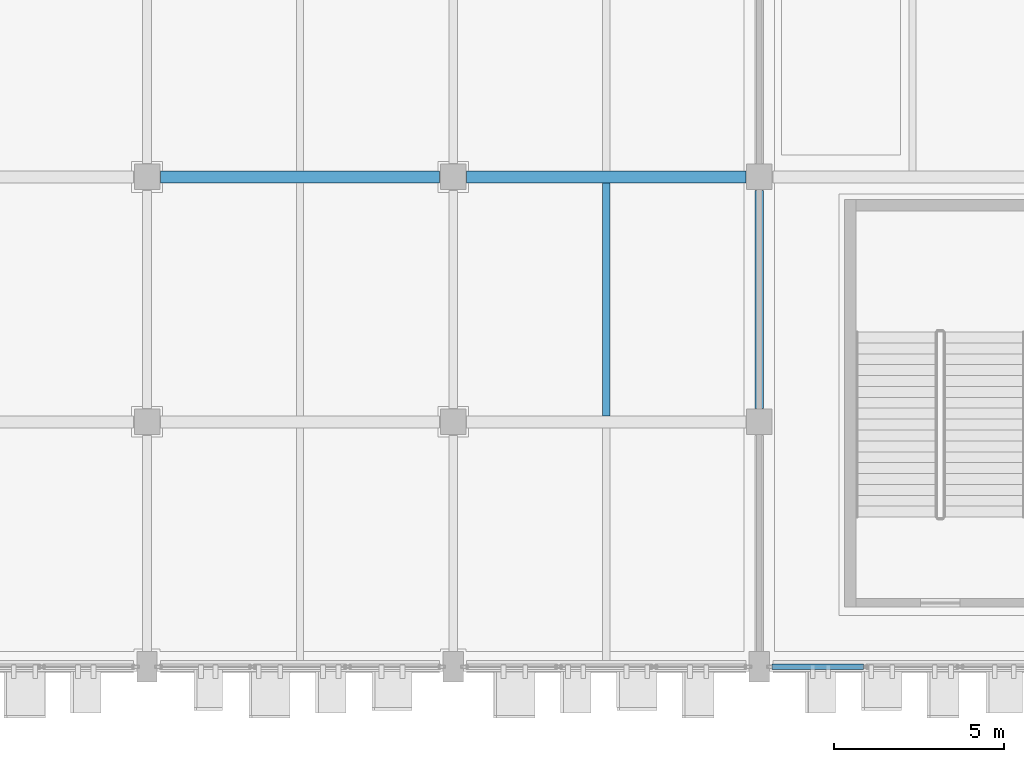
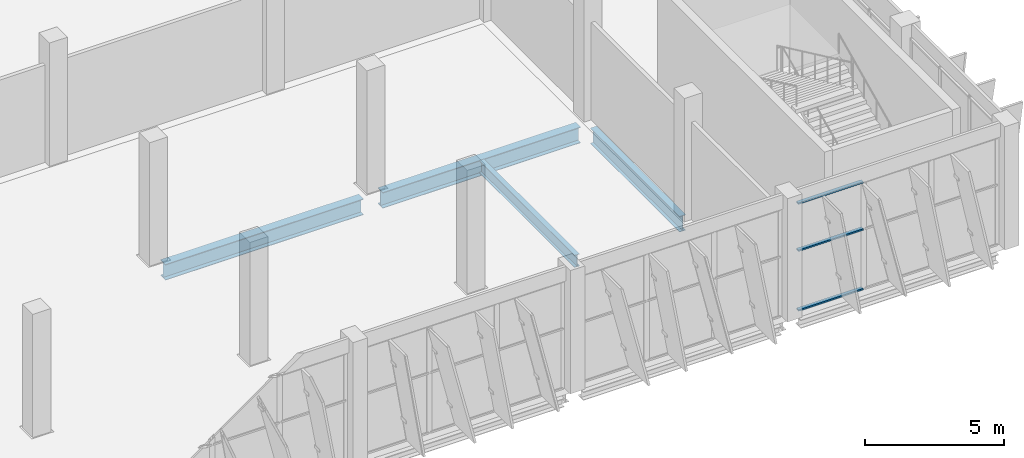
# One storey, part 47 of 137: 4 beams, 3 members, 1 element without a shape of its own.
"""IFC4 building model written with IfcOpenShell, lengths in metres."""

import ifcopenshell
import ifcopenshell.guid

model = None  # the IFC model being written
_history = None  # IfcOwnerHistory: only IFC2X3 demands one
_inside = {}  # id of a spatial element -> (the spatial element, [elements in it])
_under = {}  # id of a project, library or spatial element -> (it, [spatial elements below it])
_declared = {}  # id of a project -> (the project, [libraries it declares])
_typed = {}  # id of a type object -> (the type object, [elements of that type])
_made_of = {}  # id of a material, layer set ... -> (it, [elements and type objects made of it])


def new_model(schema):
    """Start an empty IFC model of exactly this schema.

    Asked for "IFC4X3", IfcOpenShell would pick the latest addendum, in which some entities
    have other attributes; the version numbers below select the first issue.
    IFC2X3 requires an IfcOwnerHistory on every rooted entity: one is made here for all.
    """
    global model, _history
    if schema == "IFC4X3":
        model = ifcopenshell.file(schema_version=(4, 3, 0, 0))
    else:
        model = ifcopenshell.file(schema=schema)
    _inside.clear()
    _under.clear()
    _declared.clear()
    _typed.clear()
    _made_of.clear()
    _history = None
    if model.schema == "IFC2X3":
        org = make("IfcOrganization", Name="unknown")
        user = make(
            "IfcPersonAndOrganization",
            ThePerson=make("IfcPerson", FamilyName="unknown"),
            TheOrganization=org,
        )
        app = make(
            "IfcApplication",
            ApplicationDeveloper=org,
            Version="unknown",
            ApplicationFullName="unknown",
            ApplicationIdentifier="unknown",
        )
        _history = make(
            "IfcOwnerHistory",
            OwningUser=user,
            OwningApplication=app,
            ChangeAction="ADDED",
            CreationDate=0,
        )
    return model


def make(cls, **values):
    """One entity of the class cls with the attributes given. An attribute that is None is left unset."""
    return model.create_entity(
        cls, **{name: value for name, value in values.items() if value is not None}
    )


def rooted(cls, **values):
    """An entity with a GlobalId (a new one), such as an element, a storey or a relation."""
    return make(cls, GlobalId=ifcopenshell.guid.new(), OwnerHistory=_history, **values)


def si_unit(unit_type, name, prefix=None):
    """IfcSIUnit, for example si_unit("LENGTHUNIT", "METRE", prefix="MILLI")."""
    return make("IfcSIUnit", UnitType=unit_type, Prefix=prefix, Name=name)


def assignment(units):
    """IfcUnitAssignment: the units of a project."""
    return None if units is None else make("IfcUnitAssignment", Units=units)


def point(xyz):
    """IfcCartesianPoint."""
    return None if xyz is None else make("IfcCartesianPoint", Coordinates=xyz)


def direction(xyz):
    """IfcDirection."""
    return None if xyz is None else make("IfcDirection", DirectionRatios=xyz)


def frame(location, z_axis=None, x_axis=None):
    """IfcAxis2Placement3D, a coordinate frame: its origin and axes. An axis left out is left unset."""
    return make(
        "IfcAxis2Placement3D",
        Location=point(location),
        Axis=direction(z_axis),
        RefDirection=direction(x_axis),
    )


def frame_2d(location, x_axis=None):
    """IfcAxis2Placement2D, a coordinate frame in the plane: its origin and x axis."""
    return make(
        "IfcAxis2Placement2D", Location=point(location), RefDirection=direction(x_axis)
    )


def origin():
    """The frame at (0, 0, 0) with its axes left unset."""
    return frame((0.0, 0.0, 0.0))


def origin_2d():
    """The frame at (0, 0) in the plane with its x axis left unset."""
    return frame_2d((0.0, 0.0))


def place(relative_to, where):
    """IfcLocalPlacement: puts the frame where relative to a parent placement (None: the world)."""
    return make(
        "IfcLocalPlacement", PlacementRelTo=relative_to, RelativePlacement=where
    )


def context(
    kind, dimensions, precision=None, world=None, true_north=None, identifier=None
):
    """IfcGeometricRepresentationContext, for example the 3D "Model" context."""
    return make(
        "IfcGeometricRepresentationContext",
        ContextIdentifier=identifier,
        ContextType=kind,
        CoordinateSpaceDimension=dimensions,
        Precision=precision,
        WorldCoordinateSystem=world,
        TrueNorth=true_north,
    )


def subcontext(parent, identifier, kind, view, scale=None):
    """IfcGeometricRepresentationSubContext, for example "Body" below "Model"."""
    return make(
        "IfcGeometricRepresentationSubContext",
        ContextIdentifier=identifier,
        ContextType=kind,
        ParentContext=parent,
        TargetScale=scale,
        TargetView=view,
    )


def project(units=None, contexts=None):
    """IfcProject with its units and contexts."""
    return rooted(
        "IfcProject",
        Name="project",
        RepresentationContexts=contexts,
        UnitsInContext=assignment(units),
    )


def spatial(cls, under=None, at=None, **own):
    """A site, building, storey or space (cls), placed at a placement, below another one or the project."""
    s = rooted(cls, ObjectPlacement=at, **own)
    if under is not None:
        _under.setdefault(under.id(), (under, []))[1].append(s)
    return s


def profile(cls, at=None, kind="AREA", **sizes):
    """A parametric profile (cls). Its sizes go by their IFC names, for example OverallWidth=200.0."""
    return make(cls, ProfileType=kind, Position=at, **sizes)


def hollow_rectangle(**sizes):
    """IfcRectangleHollowProfileDef."""
    return profile("IfcRectangleHollowProfileDef", **sizes)


def i_section(**sizes):
    """IfcIShapeProfileDef."""
    return profile("IfcIShapeProfileDef", **sizes)


def extrude(swept, where, along, depth):
    """IfcExtrudedAreaSolid: the profile swept, set in the frame where, extruded along a direction by depth."""
    return make(
        "IfcExtrudedAreaSolid",
        SweptArea=swept,
        Position=where,
        ExtrudedDirection=direction(along),
        Depth=depth,
    )


def shape(context_of_items, identifier, shape_type, items):
    """IfcShapeRepresentation: the items that make up one representation, for example the "Body"."""
    return make(
        "IfcShapeRepresentation",
        ContextOfItems=context_of_items,
        RepresentationIdentifier=identifier,
        RepresentationType=shape_type,
        Items=items,
    )


def material(Name=None, Category=None):
    """IfcMaterial."""
    return make("IfcMaterial", Name=Name, Category=Category)


def layer(
    of_material, thickness, ventilated=None, Name=None, Category=None, Priority=None
):
    """IfcMaterialLayer: one layer of a wall or slab, of a material (None: an air gap)."""
    return make(
        "IfcMaterialLayer",
        Material=of_material,
        LayerThickness=thickness,
        IsVentilated=ventilated,
        Name=Name,
        Category=Category,
        Priority=Priority,
    )


def layer_set(layers, Name=None):
    """IfcMaterialLayerSet."""
    return make("IfcMaterialLayerSet", MaterialLayers=layers, LayerSetName=Name)


def material_profile(
    of_material, cross_section, Name=None, Category=None, Priority=None
):
    """IfcMaterialProfile: a cross section and its material."""
    return make(
        "IfcMaterialProfile",
        Name=Name,
        Material=of_material,
        Profile=cross_section,
        Priority=Priority,
        Category=Category,
    )


def profile_set(profiles, Name=None, composite=None):
    """IfcMaterialProfileSet."""
    return make(
        "IfcMaterialProfileSet",
        Name=Name,
        MaterialProfiles=profiles,
        CompositeProfile=composite,
    )


def made_of(thing, what):
    """Note that an element or type object is made of a material, layer set ...; save() writes the relation."""
    if what is not None:
        _made_of.setdefault(what.id(), (what, []))[1].append(thing)
    return thing


def type_object(cls, material=None, **own):
    """A type object (cls), such as IfcWallType, which elements share."""
    return made_of(rooted(cls, **own), material)


def element(
    cls,
    number,
    at=None,
    inside=None,
    cuts=None,
    type_object=None,
    material=None,
    context=None,
    identifier="Body",
    shape_type=None,
    held_by="IfcProductDefinitionShape",
    body=None,
    shapes=None,
    **own,
):
    """One element of the class cls, such as IfcWall. Its Tag is "e" and its number.

    at: its placement. inside: the storey or other place that contains it. cuts: it is an
    opening in that element (IfcRelVoidsElement). A single representation is given by context,
    identifier, shape_type and body (its items); several are given by shapes. held_by: the class
    of the entity that holds the representations. save() writes the other relations.
    """
    e = rooted(cls, Tag="e%d" % number, ObjectPlacement=at, **own)
    if body is not None:
        shapes = [shape(context, identifier, shape_type, body)]
    if shapes is not None:
        e.Representation = make(held_by, Representations=shapes)
    if inside is not None:
        _inside.setdefault(inside.id(), (inside, []))[1].append(e)
    if cuts is not None:
        rooted(
            "IfcRelVoidsElement", RelatingBuildingElement=cuts, RelatedOpeningElement=e
        )
    if type_object is not None:
        _typed.setdefault(type_object.id(), (type_object, []))[1].append(e)
    return made_of(e, material)


def aggregate(whole, parts):
    """IfcRelAggregates: a whole, such as a stair, and the parts it consists of."""
    return rooted("IfcRelAggregates", RelatingObject=whole, RelatedObjects=parts)


def save(model, path):
    """Write the relations noted so far, then the file.

    IfcRelAggregates (storeys below a building ...), IfcRelContainedInSpatialStructure (elements
    in a storey), IfcRelDefinesByType, IfcRelAssociatesMaterial and IfcRelDeclares: one each for
    every whole, place, type object, material and project.
    """
    for whole, parts in _under.values():
        aggregate(whole, parts)
    for where, things in _inside.values():
        rooted(
            "IfcRelContainedInSpatialStructure",
            RelatedElements=things,
            RelatingStructure=where,
        )
    for kind, things in _typed.values():
        rooted("IfcRelDefinesByType", RelatedObjects=things, RelatingType=kind)
    for what, things in _made_of.values():
        rooted("IfcRelAssociatesMaterial", RelatedObjects=things, RelatingMaterial=what)
    for by, libraries in _declared.values():
        rooted("IfcRelDeclares", RelatingContext=by, RelatedDefinitions=libraries)
    model.write(path)


model = new_model("IFC4")

# Units and contexts
model_context = context("Model", 3, precision=1e-05, world=origin(), true_north=direction((0.0, 1.0)))
body_context = subcontext(model_context, "Body", "Model", "MODEL_VIEW")
ifc_project = project(units=[si_unit("LENGTHUNIT", "METRE"), si_unit("AREAUNIT", "SQUARE_METRE"), si_unit("VOLUMEUNIT", "CUBIC_METRE"), si_unit("PLANEANGLEUNIT", "RADIAN"), si_unit("MASSUNIT", "GRAM", prefix="KILO")], contexts=[model_context])

# Site, building, storey
site_placement = place(None, origin())
site = spatial("IfcSite", under=ifc_project, at=site_placement, CompositionType="ELEMENT")
building_placement = place(site_placement, origin())
building = spatial("IfcBuilding", under=site, at=building_placement, Name="Celestram Park Convention Centre", CompositionType="ELEMENT")
storey_placement = place(building_placement, origin())
storey = spatial("IfcBuildingStorey", under=building, at=storey_placement, Name="L00", CompositionType="ELEMENT", Elevation=0.0)

# Curtain wall, members
ifc_material_1 = material(Name="Anodised Aluminium Alloy 6063-T6", Category="aluminium")
ifc_layer = layer(ifc_material_1, 0.179931640625)
ifc_layer_set = layer_set([ifc_layer], Name="Anodised Aluminium Alloy 6063-T6")
curtain_wall_type = type_object("IfcCurtainWallType", Name="ARC-CW-840X475", PredefinedType="NOTDEFINED", material=ifc_layer_set)
curtain_wall_placement = place(storey_placement, origin())
curtain_wall = element("IfcCurtainWall", 1, at=curtain_wall_placement, inside=storey, type_object=curtain_wall_type, Name="Unitised curtain wall CU-L00-026", PredefinedType="NOTDEFINED")
ifc_material_profile_1 = material_profile(ifc_material_1, hollow_rectangle(XDim=0.14990234375, YDim=0.06494140625, WallThickness=0.0029296875, at=origin_2d()), Name="ALU150X65X3")
ifc_profile_set_1 = profile_set([ifc_material_profile_1], Name="Anodised Aluminium Alloy 6063-T6")
member_type = type_object("IfcMemberType", Name="ARC-CWT-150", PredefinedType="USERDEFINED", material=ifc_profile_set_1)
member_1_placement = place(storey_placement, frame((210.061767578125, 0.0, 0.032470703125), z_axis=(-1.0, 0.0, 0.0), x_axis=(0.0, -1.0, 0.0)))
member_1 = element("IfcMember", 2, at=member_1_placement, type_object=member_type, Name="CW-84X47 transom 3.1", ObjectType="TRANSOM", PredefinedType="USERDEFINED", context=body_context, shape_type="SweptSolid", body=[
    extrude(hollow_rectangle(XDim=0.14990234375, YDim=0.06494140625, WallThickness=0.0029296875, at=origin_2d()), origin(), (0.0, 0.0, 1.0), 2.688720703125),
])
member_2_placement = place(storey_placement, frame((210.061767578125, 0.0, 2.64990234375), z_axis=(-1.0, 0.0, 0.0), x_axis=(0.0, -1.0, 0.0)))
member_2 = element("IfcMember", 3, at=member_2_placement, type_object=member_type, Name="CW-84X47 transom 3.2", ObjectType="TRANSOM", PredefinedType="USERDEFINED", context=body_context, shape_type="SweptSolid", body=[
    extrude(hollow_rectangle(XDim=0.14990234375, YDim=0.06494140625, WallThickness=0.0029296875, at=origin_2d()), origin(), (0.0, 0.0, 1.0), 2.688720703125),
])
member_3_placement = place(storey_placement, frame((210.061767578125, 0.0, 4.714599609375), z_axis=(-1.0, 0.0, 0.0), x_axis=(0.0, -1.0, 0.0)))
member_3 = element("IfcMember", 4, at=member_3_placement, type_object=member_type, Name="CW-84X47 transom 3.3", ObjectType="TRANSOM", PredefinedType="USERDEFINED", context=body_context, shape_type="SweptSolid", body=[
    extrude(hollow_rectangle(XDim=0.14990234375, YDim=0.06494140625, WallThickness=0.0029296875, at=origin_2d()), origin(), (0.0, 0.0, 1.0), 2.688720703125),
])
aggregate(curtain_wall, [member_1, member_2, member_3])

# Beams
ifc_material_2 = material(Name="Steel ASTM A992 Grade 50", Category="steel")
ifc_material_profile_2 = material_profile(ifc_material_2, i_section(OverallWidth=0.35595703125, OverallDepth=0.696044921875, WebThickness=0.015380859375, FlangeThickness=0.02490234375, at=origin_2d()), Name="W27X146")
ifc_profile_set_2 = profile_set([ifc_material_profile_2], Name="Steel ASTM A992 Grade 50")
beam_type_1 = type_object("IfcBeamType", Name="STR-BM-W27X146", PredefinedType="BEAM", material=ifc_profile_set_2)
for number, where, z_axis, x_axis, name in (
    (5, (189.39794921875, 14.39990234375, -0.66796875), (1.0, 0.0, 0.0), (0.0, 1.0, 0.0), "Primary X-girder BG-L00-0799"),
    (6, (198.39794921875, 14.39990234375, -0.66796875), (1.0, 0.0, 0.0), (0.0, 1.0, 0.0), "Primary X-girder BG-L00-0825"),
):
    element("IfcBeam", number, at=place(storey_placement, frame(where, z_axis=z_axis, x_axis=x_axis)), inside=storey, type_object=beam_type_1, Name=name, PredefinedType="BEAM", context=body_context, shape_type="SweptSolid", body=[
        extrude(i_section(OverallWidth=0.35595703125, OverallDepth=0.696044921875, WebThickness=0.015380859375, FlangeThickness=0.02490234375, at=origin_2d()), origin(), (0.0, 0.0, 1.0), 8.2041015625),
    ])
ifc_material_profile_3 = material_profile(ifc_material_2, i_section(OverallWidth=0.25390625, OverallDepth=0.68310546875, WebThickness=0.012451171875, FlangeThickness=0.01904296875, at=origin_2d()), Name="W27X94")
ifc_profile_set_3 = profile_set([ifc_material_profile_3], Name="Steel ASTM A992 Grade 50")
beam_type_2 = type_object("IfcBeamType", Name="STR-BM-W27X94", PredefinedType="BEAM", material=ifc_profile_set_3)
beam_1_placement = place(storey_placement, frame((207.0, 7.597900390625, -0.66162109375), z_axis=(0.0, 1.0, 0.0), x_axis=(-1.0, 0.0, 0.0)))
element("IfcBeam", 7, at=beam_1_placement, inside=storey, type_object=beam_type_2, Name="Primary Y-girder BG-L00-0849", PredefinedType="BEAM", context=body_context, shape_type="SweptSolid", body=[
    extrude(i_section(OverallWidth=0.25390625, OverallDepth=0.68310546875, WebThickness=0.012451171875, FlangeThickness=0.01904296875, at=origin_2d()), origin(), (0.0, 0.0, 1.0), 6.404052734375),
])
ifc_material_profile_4 = material_profile(ifc_material_2, i_section(OverallWidth=0.2099609375, OverallDepth=0.532958984375, WebThickness=0.01025390625, FlangeThickness=0.015625, at=origin_2d()), Name="W21X62")
ifc_profile_set_4 = profile_set([ifc_material_profile_4], Name="Steel ASTM A992 Grade 50")
beam_type_3 = type_object("IfcBeamType", Name="STR-JST-W21X62", PredefinedType="JOIST", material=ifc_profile_set_4)
beam_2_placement = place(storey_placement, frame((202.5, 7.3740234375, -0.58642578125), z_axis=(0.0, 1.0, 0.0), x_axis=(-1.0, 0.0, 0.0)))
element("IfcBeam", 8, at=beam_2_placement, inside=storey, type_object=beam_type_3, Name="Secondary composite joist BG-L00-1233", PredefinedType="JOIST", context=body_context, shape_type="SweptSolid", body=[
    extrude(i_section(OverallWidth=0.2099609375, OverallDepth=0.532958984375, WebThickness=0.01025390625, FlangeThickness=0.015625, at=origin_2d()), origin(), (0.0, 0.0, 1.0), 6.85205078125),
])

save(model, "model.ifc")
